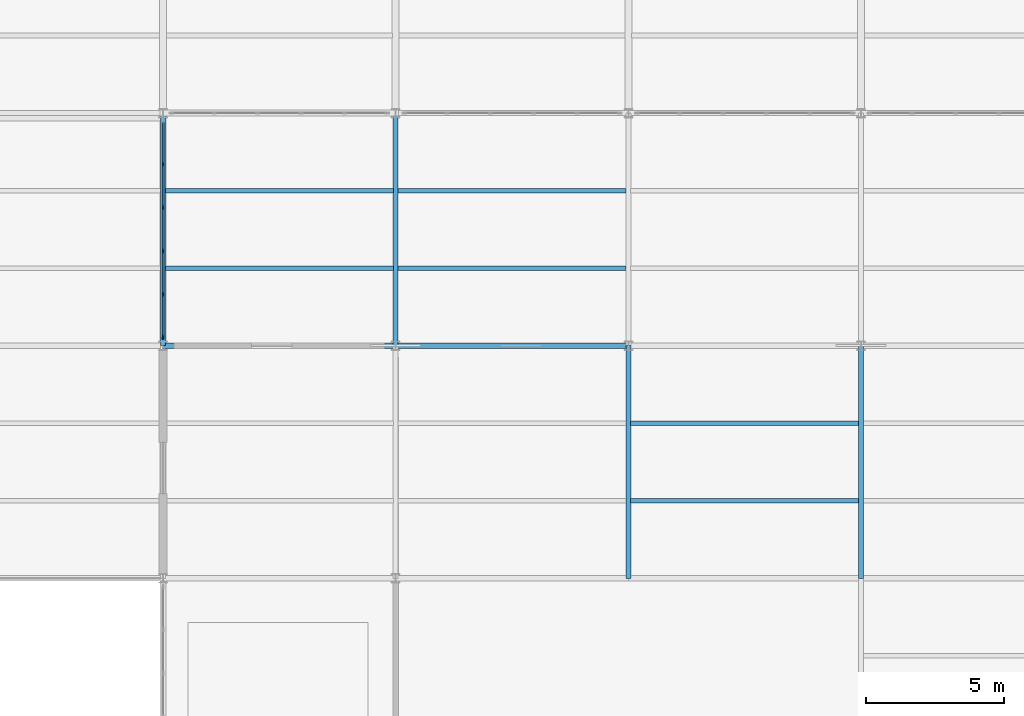
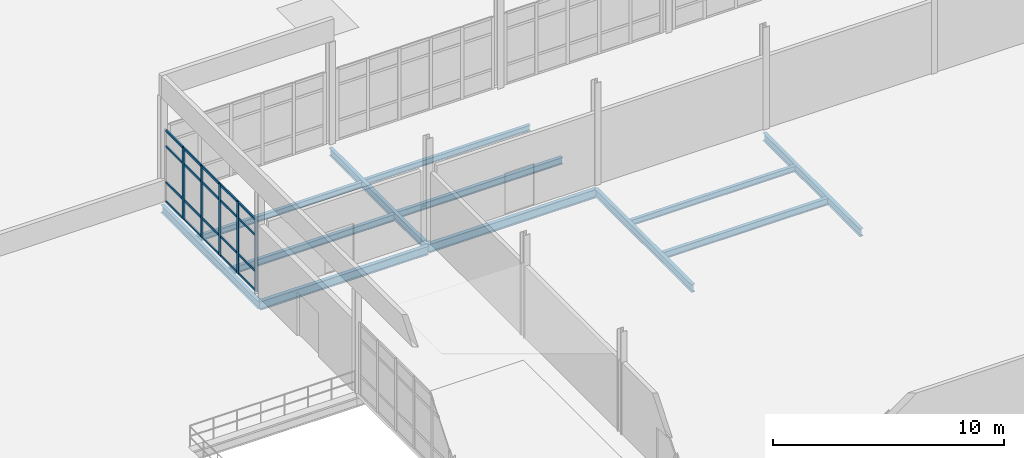
# One storey, part 16 of 33: 25 members, 12 beams, 1 element without a shape of its own.
"""IFC4 building model written with IfcOpenShell, lengths in metres."""

from ifc_helpers import new_model, si_unit, direction, frame, origin, origin_2d, place, context, subcontext, project, spatial, rectangle, i_section, extrude, material, layer, layer_set, material_profile, profile_set, type_object, element, aggregate, save


model = new_model("IFC4")

# Units and contexts
model_context = context("Model", 3, precision=1e-05, world=origin(), true_north=direction((0.0, 1.0)))
body_context = subcontext(model_context, "Body", "Model", "MODEL_VIEW")
ifc_project = project(units=[si_unit("LENGTHUNIT", "METRE"), si_unit("AREAUNIT", "SQUARE_METRE"), si_unit("VOLUMEUNIT", "CUBIC_METRE"), si_unit("PLANEANGLEUNIT", "RADIAN"), si_unit("MASSUNIT", "GRAM", prefix="KILO"), si_unit("THERMODYNAMICTEMPERATUREUNIT", "KELVIN"), si_unit("POWERUNIT", "WATT")], contexts=[model_context])

# Site, building, storey
site_placement = place(None, origin())
site = spatial("IfcSite", under=ifc_project, at=site_placement, CompositionType="ELEMENT")
building_placement = place(site_placement, origin())
building = spatial("IfcBuilding", under=site, at=building_placement, Name="Tembeka Court Mobility Hub", CompositionType="ELEMENT")
storey_placement = place(building_placement, frame((0.0, 0.0, 23.39990234375)))
storey = spatial("IfcBuildingStorey", under=building, at=storey_placement, Name="L06", CompositionType="ELEMENT", Elevation=23.39990234375)

# Beams
ifc_material_1 = material(Name="Steel S355", Category="steel")
ifc_material_profile_1 = material_profile(ifc_material_1, i_section(OverallWidth=0.18994140625, OverallDepth=0.45703125, WebThickness=0.009033203125, FlangeThickness=0.014404296875, FilletRadius=0.01025390625, at=origin_2d()), Name="UKB 457x191x74")
ifc_profile_set_1 = profile_set([ifc_material_profile_1], Name="Steel S355")
beam_type_1 = type_object("IfcBeamType", Name="BM-B01", PredefinedType="BEAM", material=ifc_profile_set_1)
for number, where, z_axis, x_axis, name in (
    (1, (33.60009765625, 72.0, -0.54833984375), (1.0, 0.0, 0.0), (0.0, 1.0, 0.0), "Beam B01 (BM-L06-X3156)"),
    (2, (42.0, 72.0, -0.478515625), (1.0, 0.0, 0.0), (0.0, 1.0, 0.0), "Beam B01 (BM-L06-X3157)"),
):
    element("IfcBeam", number, at=place(storey_placement, frame(where, z_axis=z_axis, x_axis=x_axis)), inside=storey, type_object=beam_type_1, Name=name, PredefinedType="BEAM", context=body_context, shape_type="SweptSolid", body=[
        extrude(i_section(OverallWidth=0.18994140625, OverallDepth=0.45703125, WebThickness=0.009033203125, FlangeThickness=0.014404296875, FilletRadius=0.01025390625, at=origin_2d()), origin(), (0.0, 0.0, 1.0), 8.39990234375),
    ])
ifc_material_profile_2 = material_profile(ifc_material_1, i_section(OverallWidth=0.177978515625, OverallDepth=0.406005859375, WebThickness=0.0078125, FlangeThickness=0.0126953125, FilletRadius=0.01025390625, at=origin_2d()), Name="UKB 406x178x60")
ifc_profile_set_2 = profile_set([ifc_material_profile_2], Name="Steel S355")
beam_type_2 = type_object("IfcBeamType", Name="BM-B02", PredefinedType="BEAM", material=ifc_profile_set_2)
for number, where, z_axis, x_axis, name in (
    (3, (33.60009765625, 72.0, -0.52294921875), (0.0, 1.0, 0.0), (-1.0, 0.0, 0.0), "Beam B02 (BM-L06-Y3236)"),
    (4, (42.0, 72.0, -0.452880859375), (0.0, 1.0, 0.0), (-1.0, 0.0, 0.0), "Beam B02 (BM-L06-Y3244)"),
    (5, (50.39990234375, 63.60009765625, -0.452880859375), (0.0, 1.0, 0.0), (-1.0, 0.0, 0.0), "Beam B02 (BM-L06-Y3251)"),
    (6, (58.800048828125, 63.60009765625, -0.452880859375), (0.0, 1.0, 0.0), (-1.0, 0.0, 0.0), "Beam B02 (BM-L06-Y3258)"),
):
    element("IfcBeam", number, at=place(storey_placement, frame(where, z_axis=z_axis, x_axis=x_axis)), inside=storey, type_object=beam_type_2, Name=name, PredefinedType="BEAM", context=body_context, shape_type="SweptSolid", body=[
        extrude(i_section(OverallWidth=0.177978515625, OverallDepth=0.406005859375, WebThickness=0.0078125, FlangeThickness=0.0126953125, FilletRadius=0.01025390625, at=origin_2d()), origin(), (0.0, 0.0, 1.0), 8.39990234375),
    ])
ifc_material_profile_3 = material_profile(ifc_material_1, i_section(OverallWidth=0.1650390625, OverallDepth=0.303955078125, WebThickness=0.006103515625, FlangeThickness=0.01025390625, FilletRadius=0.0087890625, at=origin_2d()), Name="UKB 305x165x40")
ifc_profile_set_3 = profile_set([ifc_material_profile_3], Name="Steel S355")
beam_type_3 = type_object("IfcBeamType", Name="BM-J02", PredefinedType="JOIST", material=ifc_profile_set_3)
for number, where, z_axis, x_axis, name in (
    (7, (33.68408203125, 77.60009765625, -0.471923828125), (1.0, 0.0, 0.0), (0.0, 1.0, 0.0), "Beam J02 (JST-L06-3379)"),
    (8, (42.083984375, 77.60009765625, -0.40185546875), (1.0, 0.0, 0.0), (0.0, 1.0, 0.0), "Beam J02 (JST-L06-3397)"),
):
    element("IfcBeam", number, at=place(storey_placement, frame(where, z_axis=z_axis, x_axis=x_axis)), inside=storey, type_object=beam_type_3, Name=name, PredefinedType="JOIST", context=body_context, shape_type="SweptSolid", body=[
        extrude(i_section(OverallWidth=0.1650390625, OverallDepth=0.303955078125, WebThickness=0.006103515625, FlangeThickness=0.01025390625, FilletRadius=0.0087890625, at=origin_2d()), origin(), (0.0, 0.0, 1.0), 8.23193359375),
    ])
beam_1_placement = place(storey_placement, frame((50.48388671875, 69.199951171875, -0.40185546875), z_axis=(1.0, 0.0, 0.0), x_axis=(0.0, 1.0, 0.0)))
element("IfcBeam", 9, at=beam_1_placement, inside=storey, type_object=beam_type_3, Name="Beam J02 (JST-L06-3413)", PredefinedType="JOIST", context=body_context, shape_type="SweptSolid", body=[
    extrude(i_section(OverallWidth=0.1650390625, OverallDepth=0.303955078125, WebThickness=0.006103515625, FlangeThickness=0.01025390625, FilletRadius=0.0087890625, at=origin_2d()), origin(), (0.0, 0.0, 1.0), 8.232177734375),
])
ifc_material_profile_4 = material_profile(ifc_material_1, i_section(OverallWidth=0.169921875, OverallDepth=0.360107421875, WebThickness=0.008056640625, FlangeThickness=0.0126953125, FilletRadius=0.01806640625, at=origin_2d()), Name="IPE 360")
ifc_profile_set_4 = profile_set([ifc_material_profile_4], Name="Steel S355")
beam_type_4 = type_object("IfcBeamType", Name="BM-J03", PredefinedType="JOIST", material=ifc_profile_set_4)
for number, where, z_axis, x_axis, name in (
    (10, (33.68408203125, 74.800048828125, -0.5), (1.0, 0.0, 0.0), (0.0, 1.0, 0.0), "Beam J03 (JST-L06-3378)"),
    (11, (42.083984375, 74.800048828125, -0.429931640625), (1.0, 0.0, 0.0), (0.0, 1.0, 0.0), "Beam J03 (JST-L06-3396)"),
):
    element("IfcBeam", number, at=place(storey_placement, frame(where, z_axis=z_axis, x_axis=x_axis)), inside=storey, type_object=beam_type_4, Name=name, PredefinedType="JOIST", context=body_context, shape_type="SweptSolid", body=[
        extrude(i_section(OverallWidth=0.169921875, OverallDepth=0.360107421875, WebThickness=0.008056640625, FlangeThickness=0.0126953125, FilletRadius=0.01806640625, at=origin_2d()), origin(), (0.0, 0.0, 1.0), 8.23193359375),
    ])
beam_2_placement = place(storey_placement, frame((50.48388671875, 66.39990234375, -0.429931640625), z_axis=(1.0, 0.0, 0.0), x_axis=(0.0, 1.0, 0.0)))
element("IfcBeam", 12, at=beam_2_placement, inside=storey, type_object=beam_type_4, Name="Beam J03 (JST-L06-3412)", PredefinedType="JOIST", context=body_context, shape_type="SweptSolid", body=[
    extrude(i_section(OverallWidth=0.169921875, OverallDepth=0.360107421875, WebThickness=0.008056640625, FlangeThickness=0.0126953125, FilletRadius=0.01806640625, at=origin_2d()), origin(), (0.0, 0.0, 1.0), 8.232177734375),
])

# Curtain wall, members
ifc_material_2 = material(Name="Anodised aluminium 6063-T6", Category="aluminium")
ifc_layer = layer(ifc_material_2, 0.159912109375)
ifc_layer_set = layer_set([ifc_layer], Name="Anodised aluminium 6063-T6")
curtain_wall_type = type_object("IfcCurtainWallType", Name="CW-SYS57", PredefinedType="USERDEFINED", material=ifc_layer_set)
curtain_wall_placement = place(storey_placement, origin())
curtain_wall = element("IfcCurtainWall", 13, at=curtain_wall_placement, inside=storey, type_object=curtain_wall_type, Name="Unitised curtain wall CW57 (CW-L06-151)", ObjectType="UNITISED GLAZING", PredefinedType="USERDEFINED")
ifc_material_profile_5 = material_profile(ifc_material_2, rectangle(XDim=0.06494140625, YDim=0.159912109375, at=origin_2d()), Name="ALU-MUL 65x160")
ifc_profile_set_5 = profile_set([ifc_material_profile_5], Name="Anodised aluminium 6063-T6")
member_type_1 = type_object("IfcMemberType", Name="CW-MUL01", PredefinedType="MULLION", material=ifc_profile_set_5)
member_1_placement = place(storey_placement, frame((33.60009765625, 72.3125, 0.0), z_axis=(0.0, 0.0, 1.0), x_axis=(-1.0, 0.0, 0.0)))
member_1 = element("IfcMember", 14, at=member_1_placement, type_object=member_type_1, Name="CW57 mullion 1", PredefinedType="MULLION", context=body_context, shape_type="SweptSolid", body=[
    extrude(rectangle(XDim=0.06494140625, YDim=0.159912109375, at=origin_2d()), origin(), (0.0, 0.0, 1.0), 3.795166015625),
])
member_2_placement = place(storey_placement, frame((33.60009765625, 73.847900390625, 0.0), z_axis=(0.0, 0.0, 1.0), x_axis=(-1.0, 0.0, 0.0)))
member_2 = element("IfcMember", 15, at=member_2_placement, type_object=member_type_1, Name="CW57 mullion 2", PredefinedType="MULLION", context=body_context, shape_type="SweptSolid", body=[
    extrude(rectangle(XDim=0.06494140625, YDim=0.159912109375, at=origin_2d()), origin(), (0.0, 0.0, 1.0), 3.795166015625),
])
member_3_placement = place(storey_placement, frame((33.60009765625, 75.416015625, 0.0), z_axis=(0.0, 0.0, 1.0), x_axis=(-1.0, 0.0, 0.0)))
member_3 = element("IfcMember", 16, at=member_3_placement, type_object=member_type_1, Name="CW57 mullion 3", PredefinedType="MULLION", context=body_context, shape_type="SweptSolid", body=[
    extrude(rectangle(XDim=0.06494140625, YDim=0.159912109375, at=origin_2d()), origin(), (0.0, 0.0, 1.0), 3.795166015625),
])
member_4_placement = place(storey_placement, frame((33.60009765625, 76.98388671875, 0.0), z_axis=(0.0, 0.0, 1.0), x_axis=(-1.0, 0.0, 0.0)))
member_4 = element("IfcMember", 17, at=member_4_placement, type_object=member_type_1, Name="CW57 mullion 4", PredefinedType="MULLION", context=body_context, shape_type="SweptSolid", body=[
    extrude(rectangle(XDim=0.06494140625, YDim=0.159912109375, at=origin_2d()), origin(), (0.0, 0.0, 1.0), 3.795166015625),
])
member_5_placement = place(storey_placement, frame((33.60009765625, 78.552001953125, 0.0), z_axis=(0.0, 0.0, 1.0), x_axis=(-1.0, 0.0, 0.0)))
member_5 = element("IfcMember", 18, at=member_5_placement, type_object=member_type_1, Name="CW57 mullion 5", PredefinedType="MULLION", context=body_context, shape_type="SweptSolid", body=[
    extrude(rectangle(XDim=0.06494140625, YDim=0.159912109375, at=origin_2d()), origin(), (0.0, 0.0, 1.0), 3.795166015625),
])
ifc_material_profile_6 = material_profile(ifc_material_2, rectangle(XDim=0.06494140625, YDim=0.1201171875, at=origin_2d()), Name="ALU-TRN 65x120")
ifc_profile_set_6 = profile_set([ifc_material_profile_6], Name="Anodised aluminium 6063-T6")
member_type_2 = type_object("IfcMemberType", Name="CW-TRN01", PredefinedType="USERDEFINED", material=ifc_profile_set_6)
member_6_placement = place(storey_placement, frame((33.60009765625, 72.344970703125, 0.03271484375), z_axis=(0.0, 1.0, 0.0), x_axis=(-1.0, 0.0, 0.0)))
member_6 = element("IfcMember", 19, at=member_6_placement, type_object=member_type_2, Name="CW57 transom 1.1", ObjectType="TRANSOM", PredefinedType="USERDEFINED", context=body_context, shape_type="SweptSolid", body=[
    extrude(rectangle(XDim=0.06494140625, YDim=0.1201171875, at=origin_2d()), origin(), (0.0, 0.0, 1.0), 1.470458984375),
])
member_7_placement = place(storey_placement, frame((33.60009765625, 72.344970703125, 1.050048828125), z_axis=(0.0, 1.0, 0.0), x_axis=(-1.0, 0.0, 0.0)))
member_7 = element("IfcMember", 20, at=member_7_placement, type_object=member_type_2, Name="CW57 transom 1.2", ObjectType="TRANSOM", PredefinedType="USERDEFINED", context=body_context, shape_type="SweptSolid", body=[
    extrude(rectangle(XDim=0.06494140625, YDim=0.1201171875, at=origin_2d()), origin(), (0.0, 0.0, 1.0), 1.470458984375),
])
member_8_placement = place(storey_placement, frame((33.60009765625, 72.344970703125, 2.945068359375), z_axis=(0.0, 1.0, 0.0), x_axis=(-1.0, 0.0, 0.0)))
member_8 = element("IfcMember", 21, at=member_8_placement, type_object=member_type_2, Name="CW57 transom 1.3", ObjectType="TRANSOM", PredefinedType="USERDEFINED", context=body_context, shape_type="SweptSolid", body=[
    extrude(rectangle(XDim=0.06494140625, YDim=0.1201171875, at=origin_2d()), origin(), (0.0, 0.0, 1.0), 1.470458984375),
])
member_9_placement = place(storey_placement, frame((33.60009765625, 72.344970703125, 3.7626953125), z_axis=(0.0, 1.0, 0.0), x_axis=(-1.0, 0.0, 0.0)))
member_9 = element("IfcMember", 22, at=member_9_placement, type_object=member_type_2, Name="CW57 transom 1.4", ObjectType="TRANSOM", PredefinedType="USERDEFINED", context=body_context, shape_type="SweptSolid", body=[
    extrude(rectangle(XDim=0.06494140625, YDim=0.1201171875, at=origin_2d()), origin(), (0.0, 0.0, 1.0), 1.470458984375),
])
member_10_placement = place(storey_placement, frame((33.60009765625, 73.880615234375, 0.03271484375), z_axis=(0.0, 1.0, 0.0), x_axis=(-1.0, 0.0, 0.0)))
member_10 = element("IfcMember", 23, at=member_10_placement, type_object=member_type_2, Name="CW57 transom 2.1", ObjectType="TRANSOM", PredefinedType="USERDEFINED", context=body_context, shape_type="SweptSolid", body=[
    extrude(rectangle(XDim=0.06494140625, YDim=0.1201171875, at=origin_2d()), origin(), (0.0, 0.0, 1.0), 1.5029296875),
])
member_11_placement = place(storey_placement, frame((33.60009765625, 73.880615234375, 1.050048828125), z_axis=(0.0, 1.0, 0.0), x_axis=(-1.0, 0.0, 0.0)))
member_11 = element("IfcMember", 24, at=member_11_placement, type_object=member_type_2, Name="CW57 transom 2.2", ObjectType="TRANSOM", PredefinedType="USERDEFINED", context=body_context, shape_type="SweptSolid", body=[
    extrude(rectangle(XDim=0.06494140625, YDim=0.1201171875, at=origin_2d()), origin(), (0.0, 0.0, 1.0), 1.5029296875),
])
member_12_placement = place(storey_placement, frame((33.60009765625, 73.880615234375, 2.945068359375), z_axis=(0.0, 1.0, 0.0), x_axis=(-1.0, 0.0, 0.0)))
member_12 = element("IfcMember", 25, at=member_12_placement, type_object=member_type_2, Name="CW57 transom 2.3", ObjectType="TRANSOM", PredefinedType="USERDEFINED", context=body_context, shape_type="SweptSolid", body=[
    extrude(rectangle(XDim=0.06494140625, YDim=0.1201171875, at=origin_2d()), origin(), (0.0, 0.0, 1.0), 1.5029296875),
])
member_13_placement = place(storey_placement, frame((33.60009765625, 73.880615234375, 3.7626953125), z_axis=(0.0, 1.0, 0.0), x_axis=(-1.0, 0.0, 0.0)))
member_13 = element("IfcMember", 26, at=member_13_placement, type_object=member_type_2, Name="CW57 transom 2.4", ObjectType="TRANSOM", PredefinedType="USERDEFINED", context=body_context, shape_type="SweptSolid", body=[
    extrude(rectangle(XDim=0.06494140625, YDim=0.1201171875, at=origin_2d()), origin(), (0.0, 0.0, 1.0), 1.5029296875),
])
member_14_placement = place(storey_placement, frame((33.60009765625, 75.448486328125, 0.03271484375), z_axis=(0.0, 1.0, 0.0), x_axis=(-1.0, 0.0, 0.0)))
member_14 = element("IfcMember", 27, at=member_14_placement, type_object=member_type_2, Name="CW57 transom 3.1", ObjectType="TRANSOM", PredefinedType="USERDEFINED", context=body_context, shape_type="SweptSolid", body=[
    extrude(rectangle(XDim=0.06494140625, YDim=0.1201171875, at=origin_2d()), origin(), (0.0, 0.0, 1.0), 1.5029296875),
])
member_15_placement = place(storey_placement, frame((33.60009765625, 75.448486328125, 1.050048828125), z_axis=(0.0, 1.0, 0.0), x_axis=(-1.0, 0.0, 0.0)))
member_15 = element("IfcMember", 28, at=member_15_placement, type_object=member_type_2, Name="CW57 transom 3.2", ObjectType="TRANSOM", PredefinedType="USERDEFINED", context=body_context, shape_type="SweptSolid", body=[
    extrude(rectangle(XDim=0.06494140625, YDim=0.1201171875, at=origin_2d()), origin(), (0.0, 0.0, 1.0), 1.5029296875),
])
member_16_placement = place(storey_placement, frame((33.60009765625, 75.448486328125, 2.945068359375), z_axis=(0.0, 1.0, 0.0), x_axis=(-1.0, 0.0, 0.0)))
member_16 = element("IfcMember", 29, at=member_16_placement, type_object=member_type_2, Name="CW57 transom 3.3", ObjectType="TRANSOM", PredefinedType="USERDEFINED", context=body_context, shape_type="SweptSolid", body=[
    extrude(rectangle(XDim=0.06494140625, YDim=0.1201171875, at=origin_2d()), origin(), (0.0, 0.0, 1.0), 1.5029296875),
])
member_17_placement = place(storey_placement, frame((33.60009765625, 75.448486328125, 3.7626953125), z_axis=(0.0, 1.0, 0.0), x_axis=(-1.0, 0.0, 0.0)))
member_17 = element("IfcMember", 30, at=member_17_placement, type_object=member_type_2, Name="CW57 transom 3.4", ObjectType="TRANSOM", PredefinedType="USERDEFINED", context=body_context, shape_type="SweptSolid", body=[
    extrude(rectangle(XDim=0.06494140625, YDim=0.1201171875, at=origin_2d()), origin(), (0.0, 0.0, 1.0), 1.5029296875),
])
member_18_placement = place(storey_placement, frame((33.60009765625, 77.0166015625, 0.03271484375), z_axis=(0.0, 1.0, 0.0), x_axis=(-1.0, 0.0, 0.0)))
member_18 = element("IfcMember", 31, at=member_18_placement, type_object=member_type_2, Name="CW57 transom 4.1", ObjectType="TRANSOM", PredefinedType="USERDEFINED", context=body_context, shape_type="SweptSolid", body=[
    extrude(rectangle(XDim=0.06494140625, YDim=0.1201171875, at=origin_2d()), origin(), (0.0, 0.0, 1.0), 1.5029296875),
])
member_19_placement = place(storey_placement, frame((33.60009765625, 77.0166015625, 1.050048828125), z_axis=(0.0, 1.0, 0.0), x_axis=(-1.0, 0.0, 0.0)))
member_19 = element("IfcMember", 32, at=member_19_placement, type_object=member_type_2, Name="CW57 transom 4.2", ObjectType="TRANSOM", PredefinedType="USERDEFINED", context=body_context, shape_type="SweptSolid", body=[
    extrude(rectangle(XDim=0.06494140625, YDim=0.1201171875, at=origin_2d()), origin(), (0.0, 0.0, 1.0), 1.5029296875),
])
member_20_placement = place(storey_placement, frame((33.60009765625, 77.0166015625, 2.945068359375), z_axis=(0.0, 1.0, 0.0), x_axis=(-1.0, 0.0, 0.0)))
member_20 = element("IfcMember", 33, at=member_20_placement, type_object=member_type_2, Name="CW57 transom 4.3", ObjectType="TRANSOM", PredefinedType="USERDEFINED", context=body_context, shape_type="SweptSolid", body=[
    extrude(rectangle(XDim=0.06494140625, YDim=0.1201171875, at=origin_2d()), origin(), (0.0, 0.0, 1.0), 1.5029296875),
])
member_21_placement = place(storey_placement, frame((33.60009765625, 77.0166015625, 3.7626953125), z_axis=(0.0, 1.0, 0.0), x_axis=(-1.0, 0.0, 0.0)))
member_21 = element("IfcMember", 34, at=member_21_placement, type_object=member_type_2, Name="CW57 transom 4.4", ObjectType="TRANSOM", PredefinedType="USERDEFINED", context=body_context, shape_type="SweptSolid", body=[
    extrude(rectangle(XDim=0.06494140625, YDim=0.1201171875, at=origin_2d()), origin(), (0.0, 0.0, 1.0), 1.5029296875),
])
member_22_placement = place(storey_placement, frame((33.60009765625, 78.58447265625, 0.03271484375), z_axis=(0.0, 1.0, 0.0), x_axis=(-1.0, 0.0, 0.0)))
member_22 = element("IfcMember", 35, at=member_22_placement, type_object=member_type_2, Name="CW57 transom 5.1", ObjectType="TRANSOM", PredefinedType="USERDEFINED", context=body_context, shape_type="SweptSolid", body=[
    extrude(rectangle(XDim=0.06494140625, YDim=0.1201171875, at=origin_2d()), origin(), (0.0, 0.0, 1.0), 1.470458984375),
])
member_23_placement = place(storey_placement, frame((33.60009765625, 78.58447265625, 1.050048828125), z_axis=(0.0, 1.0, 0.0), x_axis=(-1.0, 0.0, 0.0)))
member_23 = element("IfcMember", 36, at=member_23_placement, type_object=member_type_2, Name="CW57 transom 5.2", ObjectType="TRANSOM", PredefinedType="USERDEFINED", context=body_context, shape_type="SweptSolid", body=[
    extrude(rectangle(XDim=0.06494140625, YDim=0.1201171875, at=origin_2d()), origin(), (0.0, 0.0, 1.0), 1.470458984375),
])
member_24_placement = place(storey_placement, frame((33.60009765625, 78.58447265625, 2.945068359375), z_axis=(0.0, 1.0, 0.0), x_axis=(-1.0, 0.0, 0.0)))
member_24 = element("IfcMember", 37, at=member_24_placement, type_object=member_type_2, Name="CW57 transom 5.3", ObjectType="TRANSOM", PredefinedType="USERDEFINED", context=body_context, shape_type="SweptSolid", body=[
    extrude(rectangle(XDim=0.06494140625, YDim=0.1201171875, at=origin_2d()), origin(), (0.0, 0.0, 1.0), 1.470458984375),
])
member_25_placement = place(storey_placement, frame((33.60009765625, 78.58447265625, 3.7626953125), z_axis=(0.0, 1.0, 0.0), x_axis=(-1.0, 0.0, 0.0)))
member_25 = element("IfcMember", 38, at=member_25_placement, type_object=member_type_2, Name="CW57 transom 5.4", ObjectType="TRANSOM", PredefinedType="USERDEFINED", context=body_context, shape_type="SweptSolid", body=[
    extrude(rectangle(XDim=0.06494140625, YDim=0.1201171875, at=origin_2d()), origin(), (0.0, 0.0, 1.0), 1.470458984375),
])
aggregate(curtain_wall, [member_1, member_2, member_3, member_4, member_5, member_6, member_7, member_8, member_9, member_10, member_11, member_12, member_13, member_14, member_15, member_16, member_17, member_18, member_19, member_20, member_21, member_22, member_23, member_24, member_25])

save(model, "model.ifc")
